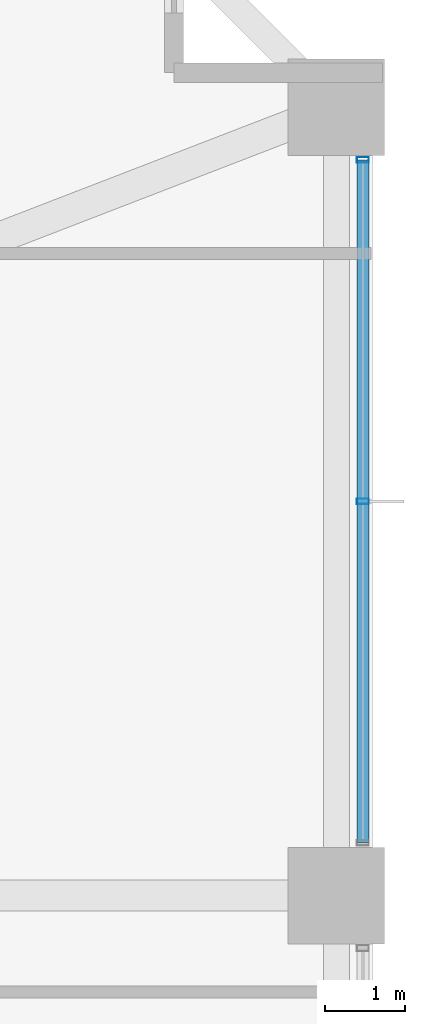
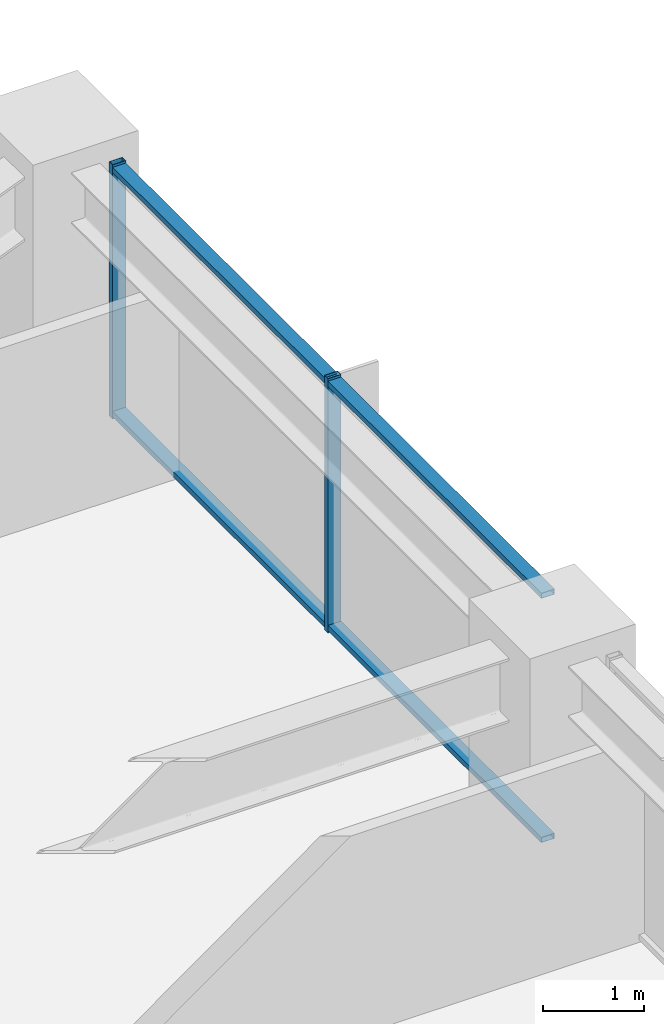
# One storey, part 24 of 38: 4 members, 1 element without a shape of its own.
"""IFC4 building model written with IfcOpenShell, lengths in metres."""

from ifc_helpers import new_model, si_unit, direction, frame, origin, origin_2d, place, context, subcontext, project, spatial, hollow_rectangle, extrude, material, material_profile, profile_set, type_object, element, aggregate, save


model = new_model("IFC4")

# Units and contexts
model_context = context("Model", 3, precision=1e-05, world=origin(), true_north=direction((0.0, 1.0)))
body_context = subcontext(model_context, "Body", "Model", "MODEL_VIEW")
ifc_project = project(units=[si_unit("LENGTHUNIT", "METRE"), si_unit("AREAUNIT", "SQUARE_METRE"), si_unit("VOLUMEUNIT", "CUBIC_METRE"), si_unit("PLANEANGLEUNIT", "RADIAN"), si_unit("MASSUNIT", "GRAM", prefix="KILO")], contexts=[model_context])

# Site, building, storey
site_placement = place(None, origin())
site = spatial("IfcSite", under=ifc_project, at=site_placement, CompositionType="ELEMENT")
building_placement = place(site_placement, origin())
building = spatial("IfcBuilding", under=site, at=building_placement, Name="Kolvaren Belvedere", CompositionType="ELEMENT")
storey_placement = place(building_placement, frame((0.0, 0.0, 30.39990234375)))
storey = spatial("IfcBuildingStorey", under=building, at=storey_placement, Name="L08", CompositionType="ELEMENT", Elevation=30.39990234375)

# Curtain wall, members
ifc_material_1 = material(Name="Anodised pale-metal aluminium AA 6063-T6", Category="aluminium")
curtain_wall_type = type_object("IfcCurtainWallType", Name="CW-Z1-LOW", PredefinedType="NOTDEFINED", material=ifc_material_1)
curtain_wall_placement = place(storey_placement, origin())
curtain_wall = element("IfcCurtainWall", 1, at=curtain_wall_placement, inside=storey, type_object=curtain_wall_type, Name="L08 Unitised Curtain Wall FCW-L08-E-B1", PredefinedType="NOTDEFINED")
ifc_material_2 = material(Name="Anodised pale-metal aluminium AA 6063-T6", Category="aluminium")
ifc_material_profile_1 = material_profile(ifc_material_2, hollow_rectangle(XDim=0.070068359375, YDim=0.14990234375, WallThickness=0.004150390625, at=origin_2d()), Name="ALU-MUL-150X70")
ifc_profile_set_1 = profile_set([ifc_material_profile_1], Name="Anodised pale-metal aluminium AA 6063-T6")
member_type_1 = type_object("IfcMemberType", Name="CW-MUL-150", PredefinedType="MULLION", material=ifc_profile_set_1)
member_1_placement = place(storey_placement, frame((21.8798828125, 13.7451171875, 0.0), z_axis=(0.0, 0.0, 1.0), x_axis=(0.0, 1.0, 0.0)))
member_1 = element("IfcMember", 2, at=member_1_placement, type_object=member_type_1, Name="FCW-L08-E-B1 Unitised Mullion 1", PredefinedType="MULLION", context=body_context, shape_type="SweptSolid", body=[
    extrude(hollow_rectangle(XDim=0.070068359375, YDim=0.14990234375, WallThickness=0.004150390625, at=origin_2d()), origin(), (0.0, 0.0, 1.0), 3.06005859375),
])
member_2_placement = place(storey_placement, frame((21.8798828125, 9.5, 0.0), z_axis=(0.0, 0.0, 1.0), x_axis=(0.0, 1.0, 0.0)))
member_2 = element("IfcMember", 3, at=member_2_placement, type_object=member_type_1, Name="FCW-L08-E-B1 Unitised Mullion 2", PredefinedType="MULLION", context=body_context, shape_type="SweptSolid", body=[
    extrude(hollow_rectangle(XDim=0.070068359375, YDim=0.14990234375, WallThickness=0.004150390625, at=origin_2d()), origin(), (0.0, 0.0, 1.0), 3.06005859375),
])
ifc_material_3 = material(Name="Anodised pale-metal aluminium AA 6063-T6", Category="aluminium")
ifc_material_profile_2 = material_profile(ifc_material_3, hollow_rectangle(XDim=0.06494140625, YDim=0.14990234375, WallThickness=0.00390625, at=origin_2d()), Name="ALU-TRN-150X65")
ifc_profile_set_2 = profile_set([ifc_material_profile_2], Name="Anodised pale-metal aluminium AA 6063-T6")
member_type_2 = type_object("IfcMemberType", Name="CW-TRN-150", PredefinedType="USERDEFINED", material=ifc_profile_set_2)
member_3_placement = place(storey_placement, frame((21.8798828125, 13.7451171875, 0.06005859375), z_axis=(0.0, -1.0, 0.0), x_axis=(0.0, 0.0, 1.0)))
member_3 = element("IfcMember", 4, at=member_3_placement, type_object=member_type_2, Name="FCW-L08-E-B1 Sill Transom", ObjectType="TRANSOM", PredefinedType="USERDEFINED", context=body_context, shape_type="SweptSolid", body=[
    extrude(hollow_rectangle(XDim=0.06494140625, YDim=0.14990234375, WallThickness=0.00390625, at=origin_2d()), origin(), (0.0, 0.0, 1.0), 8.490234375),
])
member_4_placement = place(storey_placement, frame((21.8798828125, 13.7451171875, 3.0), z_axis=(0.0, -1.0, 0.0), x_axis=(0.0, 0.0, 1.0)))
member_4 = element("IfcMember", 5, at=member_4_placement, type_object=member_type_2, Name="FCW-L08-E-B1 Head Transom", ObjectType="TRANSOM", PredefinedType="USERDEFINED", context=body_context, shape_type="SweptSolid", body=[
    extrude(hollow_rectangle(XDim=0.06494140625, YDim=0.14990234375, WallThickness=0.00390625, at=origin_2d()), origin(), (0.0, 0.0, 1.0), 8.490234375),
])
aggregate(curtain_wall, [member_1, member_2, member_3, member_4])

save(model, "model.ifc")
